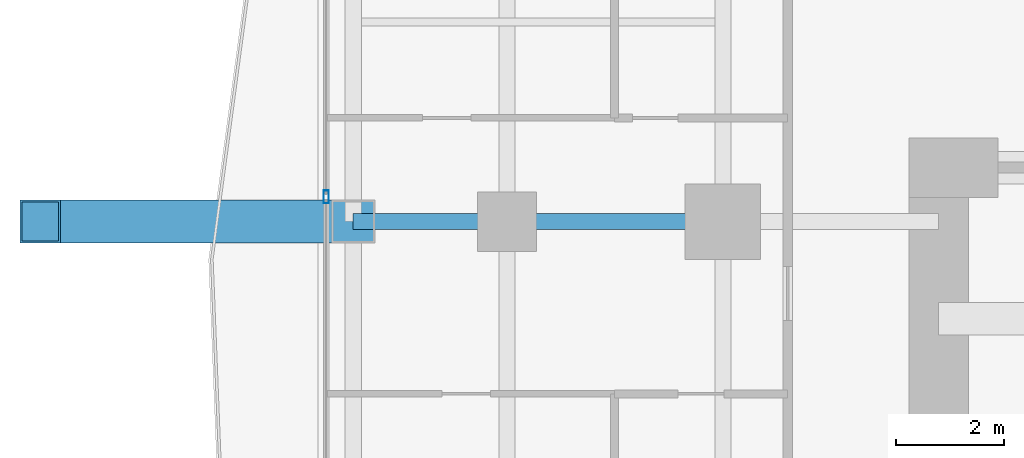
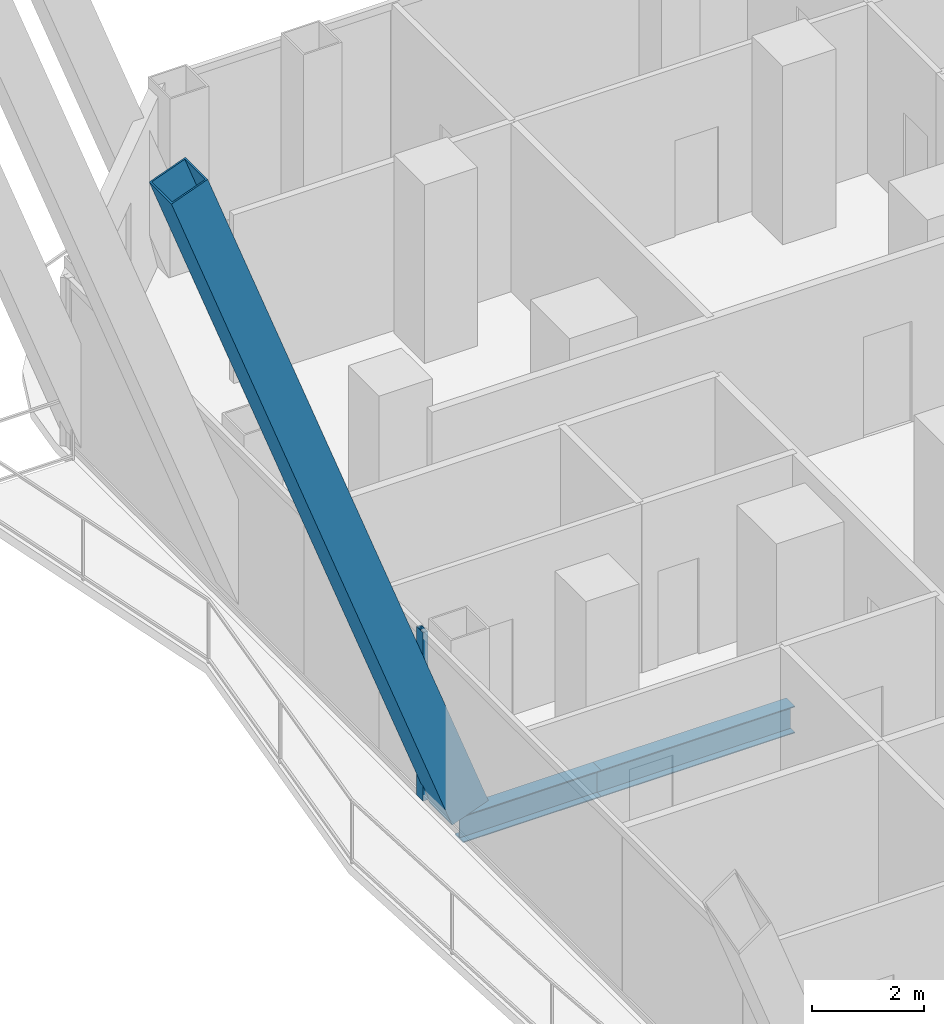
# One storey, part 15 of 33: 2 beams, 2 members, 1 element without a shape of its own.
"""IFC4 building model written with IfcOpenShell, lengths in metres."""

from ifc_helpers import new_model, si_unit, direction, frame, origin, origin_2d, place, context, subcontext, project, spatial, hollow_rectangle, i_section, extrude, material, layer, layer_set, material_profile, profile_set, type_object, element, aggregate, save


model = new_model("IFC4")

# Units and contexts
model_context = context("Model", 3, precision=1e-05, world=origin(), true_north=direction((0.0, 1.0)))
body_context = subcontext(model_context, "Body", "Model", "MODEL_VIEW")
ifc_project = project(units=[si_unit("LENGTHUNIT", "METRE"), si_unit("AREAUNIT", "SQUARE_METRE"), si_unit("VOLUMEUNIT", "CUBIC_METRE"), si_unit("PLANEANGLEUNIT", "RADIAN"), si_unit("MASSUNIT", "GRAM", prefix="KILO")], contexts=[model_context])

# Site, building, storey
site_placement = place(None, origin())
site = spatial("IfcSite", under=ifc_project, at=site_placement, CompositionType="ELEMENT")
building_placement = place(site_placement, origin())
building = spatial("IfcBuilding", under=site, at=building_placement, Name="Khorvyn Point Tower", CompositionType="ELEMENT")
storey_placement = place(building_placement, frame((0.0, 0.0, 38.39990234375)))
storey = spatial("IfcBuildingStorey", under=building, at=storey_placement, Name="L10", CompositionType="ELEMENT", Elevation=38.39990234375)

# Curtain wall, member
ifc_material_1 = material(Name="Anodised aluminium 6063-T6 and laminated Low-E glass", Category="aluminium")
ifc_layer = layer(ifc_material_1, 0.18994140625)
ifc_layer_set = layer_set([ifc_layer], Name="Stick-Built Finned Residential Curtain Wall CW-SYS-02")
curtain_wall_type = type_object("IfcCurtainWallType", Name="Stick-Built Finned Residential Curtain Wall CW-SYS-02", PredefinedType="NOTDEFINED", material=ifc_layer_set)
curtain_wall_placement = place(storey_placement, origin())
curtain_wall = element("IfcCurtainWall", 1, at=curtain_wall_placement, inside=storey, type_object=curtain_wall_type, Name="Curtain Wall", PredefinedType="NOTDEFINED")
ifc_material_2 = material(Name="Anodised aluminium 6063-T6", Category="aluminium")
ifc_material_profile_1 = material_profile(ifc_material_2, hollow_rectangle(XDim=0.10009765625, YDim=0.239990234375, WallThickness=0.0048828125, at=origin_2d()))
ifc_profile_set_1 = profile_set([ifc_material_profile_1], Name="Anodised aluminium 6063-T6 ALU-MUL-100x240")
member_type_1 = type_object("IfcMemberType", Name="Anodised Aluminium 6063-T6 Mullion ALU-MUL-100x240", PredefinedType="MULLION", material=ifc_profile_set_1)
member_1_placement = place(storey_placement, frame((-22.14990234375, 7.856689453125, 0.0), z_axis=(0.0, 0.0, 1.0), x_axis=(-1.0, 0.0, 0.0)))
member_1 = element("IfcMember", 2, at=member_1_placement, type_object=member_type_1, Name="Transom", PredefinedType="MULLION", context=body_context, shape_type="SweptSolid", body=[
    extrude(hollow_rectangle(XDim=0.10009765625, YDim=0.239990234375, WallThickness=0.0048828125, at=origin_2d()), origin(), (0.0, 0.0, 1.0), 3.68017578125),
])
aggregate(curtain_wall, [member_1])

# Beams
ifc_material_3 = material(Name="Steel S355", Category="steel")
ifc_material_profile_2 = material_profile(ifc_material_3, i_section(OverallWidth=0.300048828125, OverallDepth=0.587890625, WebThickness=0.011962890625, FlangeThickness=0.02001953125, at=origin_2d()))
ifc_profile_set_2 = profile_set([ifc_material_profile_2], Name="Steel S355 H588x300x12x20")
beam_type = type_object("IfcBeamType", Name="Steel S355 Beam H588x300x12x20", PredefinedType="BEAM", material=ifc_profile_set_2)
beam_1_placement = place(storey_placement, frame((-21.64990234375, 7.39990234375, -0.513916015625), z_axis=(1.0, 0.0, 0.0), x_axis=(0.0, 1.0, 0.0)))
element("IfcBeam", 3, at=beam_1_placement, inside=storey, type_object=beam_type, Name="Beam", PredefinedType="BEAM", context=body_context, shape_type="SweptSolid", body=[
    extrude(i_section(OverallWidth=0.300048828125, OverallDepth=0.587890625, WebThickness=0.011962890625, FlangeThickness=0.02001953125, at=origin_2d()), origin(), (0.0, 0.0, 1.0), 2.849853515625),
])
beam_2_placement = place(storey_placement, frame((-18.800048828125, 7.39990234375, -0.513916015625), z_axis=(1.0, 0.0, 0.0), x_axis=(0.0, 1.0, 0.0)))
element("IfcBeam", 4, at=beam_2_placement, inside=storey, type_object=beam_type, Name="Beam", PredefinedType="BEAM", context=body_context, shape_type="SweptSolid", body=[
    extrude(i_section(OverallWidth=0.300048828125, OverallDepth=0.587890625, WebThickness=0.011962890625, FlangeThickness=0.02001953125, at=origin_2d()), origin(), (0.0, 0.0, 1.0), 4.0),
])

# Member
ifc_material_4 = material(Name="Steel S450", Category="steel")
ifc_material_profile_3 = material_profile(ifc_material_4, hollow_rectangle(XDim=0.800048828125, YDim=0.800048828125, WallThickness=0.035888671875, at=origin_2d()))
ifc_profile_set_3 = profile_set([ifc_material_profile_3], Name="Steel S450 BOX800x800x36")
member_type_2 = type_object("IfcMemberType", Name="Steel S450 Exoskeleton Structural Post BOX800x800x36", PredefinedType="POST", material=ifc_profile_set_3)
member_2_placement = place(storey_placement, frame((-21.64990234375, 7.39990234375, 0.0), z_axis=(-0.348488886408, 0.0, 0.937312912559), x_axis=(0.0, -1.0, 0.0)))
element("IfcMember", 5, at=member_2_placement, inside=storey, type_object=member_type_2, Name="L10 to L14 Exoskeleton Transfer Post 13", PredefinedType="POST", context=body_context, shape_type="SweptSolid", body=[
    extrude(hollow_rectangle(XDim=0.800048828125, YDim=0.800048828125, WallThickness=0.035888671875, at=origin_2d()), origin(), (0.0, 0.0, 1.0), 16.643310546875),
])

save(model, "model.ifc")
